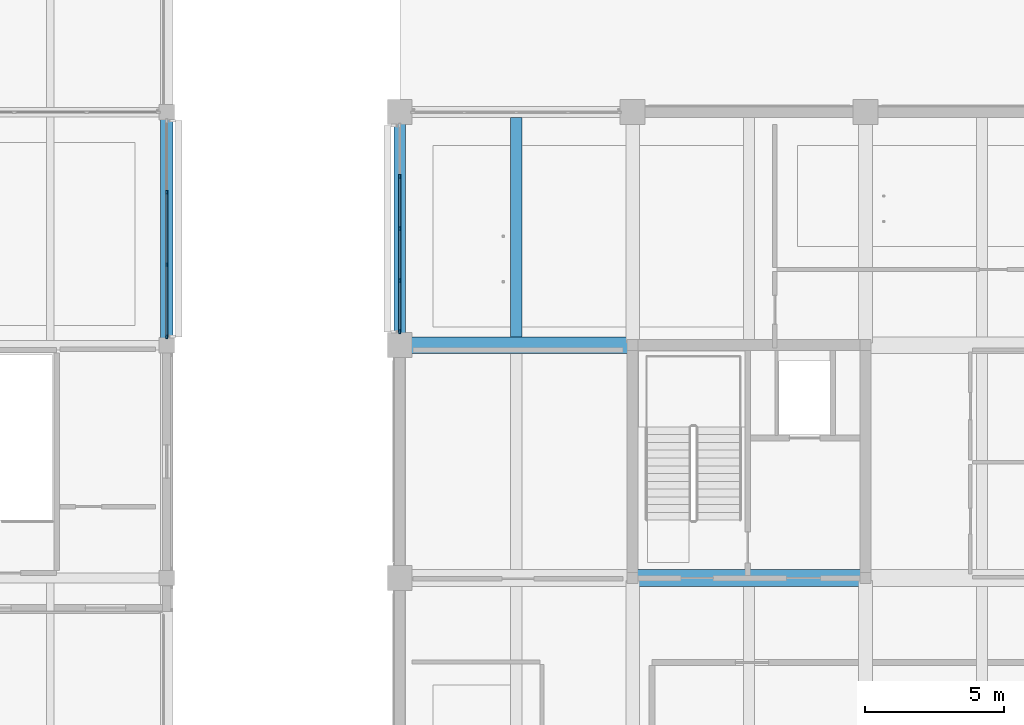
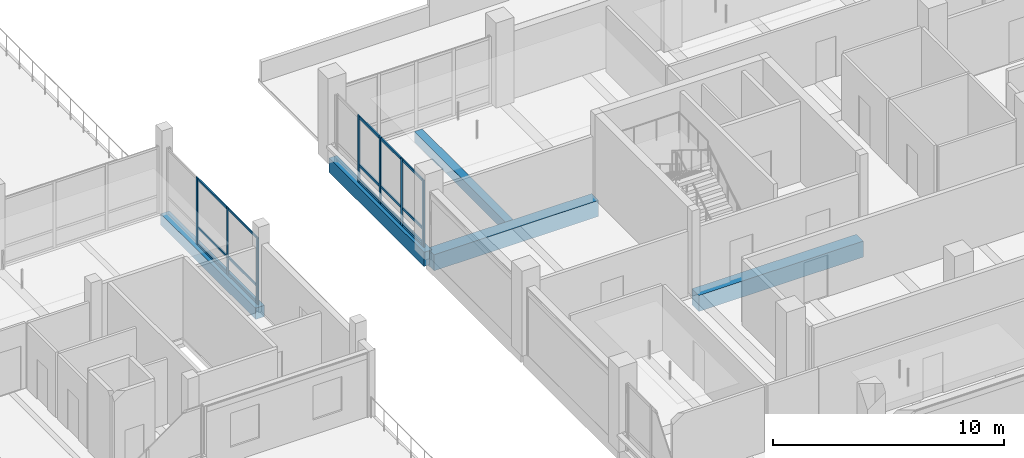
# One storey, part 7 of 59: 22 members, 5 beams, 2 elements without a shape of their own.
"""IFC4 building model written with IfcOpenShell, lengths in metres."""

import ifcopenshell
import ifcopenshell.guid

model = None  # the IFC model being written
_history = None  # IfcOwnerHistory: only IFC2X3 demands one
_inside = {}  # id of a spatial element -> (the spatial element, [elements in it])
_under = {}  # id of a project, library or spatial element -> (it, [spatial elements below it])
_declared = {}  # id of a project -> (the project, [libraries it declares])
_typed = {}  # id of a type object -> (the type object, [elements of that type])
_made_of = {}  # id of a material, layer set ... -> (it, [elements and type objects made of it])


def new_model(schema):
    """Start an empty IFC model of exactly this schema.

    Asked for "IFC4X3", IfcOpenShell would pick the latest addendum, in which some entities
    have other attributes; the version numbers below select the first issue.
    IFC2X3 requires an IfcOwnerHistory on every rooted entity: one is made here for all.
    """
    global model, _history
    if schema == "IFC4X3":
        model = ifcopenshell.file(schema_version=(4, 3, 0, 0))
    else:
        model = ifcopenshell.file(schema=schema)
    _inside.clear()
    _under.clear()
    _declared.clear()
    _typed.clear()
    _made_of.clear()
    _history = None
    if model.schema == "IFC2X3":
        org = make("IfcOrganization", Name="unknown")
        user = make(
            "IfcPersonAndOrganization",
            ThePerson=make("IfcPerson", FamilyName="unknown"),
            TheOrganization=org,
        )
        app = make(
            "IfcApplication",
            ApplicationDeveloper=org,
            Version="unknown",
            ApplicationFullName="unknown",
            ApplicationIdentifier="unknown",
        )
        _history = make(
            "IfcOwnerHistory",
            OwningUser=user,
            OwningApplication=app,
            ChangeAction="ADDED",
            CreationDate=0,
        )
    return model


def make(cls, **values):
    """One entity of the class cls with the attributes given. An attribute that is None is left unset."""
    return model.create_entity(
        cls, **{name: value for name, value in values.items() if value is not None}
    )


def rooted(cls, **values):
    """An entity with a GlobalId (a new one), such as an element, a storey or a relation."""
    return make(cls, GlobalId=ifcopenshell.guid.new(), OwnerHistory=_history, **values)


def si_unit(unit_type, name, prefix=None):
    """IfcSIUnit, for example si_unit("LENGTHUNIT", "METRE", prefix="MILLI")."""
    return make("IfcSIUnit", UnitType=unit_type, Prefix=prefix, Name=name)


def assignment(units):
    """IfcUnitAssignment: the units of a project."""
    return None if units is None else make("IfcUnitAssignment", Units=units)


def point(xyz):
    """IfcCartesianPoint."""
    return None if xyz is None else make("IfcCartesianPoint", Coordinates=xyz)


def direction(xyz):
    """IfcDirection."""
    return None if xyz is None else make("IfcDirection", DirectionRatios=xyz)


def frame(location, z_axis=None, x_axis=None):
    """IfcAxis2Placement3D, a coordinate frame: its origin and axes. An axis left out is left unset."""
    return make(
        "IfcAxis2Placement3D",
        Location=point(location),
        Axis=direction(z_axis),
        RefDirection=direction(x_axis),
    )


def frame_2d(location, x_axis=None):
    """IfcAxis2Placement2D, a coordinate frame in the plane: its origin and x axis."""
    return make(
        "IfcAxis2Placement2D", Location=point(location), RefDirection=direction(x_axis)
    )


def origin():
    """The frame at (0, 0, 0) with its axes left unset."""
    return frame((0.0, 0.0, 0.0))


def origin_2d():
    """The frame at (0, 0) in the plane with its x axis left unset."""
    return frame_2d((0.0, 0.0))


def place(relative_to, where):
    """IfcLocalPlacement: puts the frame where relative to a parent placement (None: the world)."""
    return make(
        "IfcLocalPlacement", PlacementRelTo=relative_to, RelativePlacement=where
    )


def context(
    kind, dimensions, precision=None, world=None, true_north=None, identifier=None
):
    """IfcGeometricRepresentationContext, for example the 3D "Model" context."""
    return make(
        "IfcGeometricRepresentationContext",
        ContextIdentifier=identifier,
        ContextType=kind,
        CoordinateSpaceDimension=dimensions,
        Precision=precision,
        WorldCoordinateSystem=world,
        TrueNorth=true_north,
    )


def subcontext(parent, identifier, kind, view, scale=None):
    """IfcGeometricRepresentationSubContext, for example "Body" below "Model"."""
    return make(
        "IfcGeometricRepresentationSubContext",
        ContextIdentifier=identifier,
        ContextType=kind,
        ParentContext=parent,
        TargetScale=scale,
        TargetView=view,
    )


def project(units=None, contexts=None):
    """IfcProject with its units and contexts."""
    return rooted(
        "IfcProject",
        Name="project",
        RepresentationContexts=contexts,
        UnitsInContext=assignment(units),
    )


def spatial(cls, under=None, at=None, **own):
    """A site, building, storey or space (cls), placed at a placement, below another one or the project."""
    s = rooted(cls, ObjectPlacement=at, **own)
    if under is not None:
        _under.setdefault(under.id(), (under, []))[1].append(s)
    return s


def profile(cls, at=None, kind="AREA", **sizes):
    """A parametric profile (cls). Its sizes go by their IFC names, for example OverallWidth=200.0."""
    return make(cls, ProfileType=kind, Position=at, **sizes)


def rectangle(**sizes):
    """IfcRectangleProfileDef."""
    return profile("IfcRectangleProfileDef", **sizes)


def extrude(swept, where, along, depth):
    """IfcExtrudedAreaSolid: the profile swept, set in the frame where, extruded along a direction by depth."""
    return make(
        "IfcExtrudedAreaSolid",
        SweptArea=swept,
        Position=where,
        ExtrudedDirection=direction(along),
        Depth=depth,
    )


def shape(context_of_items, identifier, shape_type, items):
    """IfcShapeRepresentation: the items that make up one representation, for example the "Body"."""
    return make(
        "IfcShapeRepresentation",
        ContextOfItems=context_of_items,
        RepresentationIdentifier=identifier,
        RepresentationType=shape_type,
        Items=items,
    )


def material(Name=None, Category=None):
    """IfcMaterial."""
    return make("IfcMaterial", Name=Name, Category=Category)


def layer(
    of_material, thickness, ventilated=None, Name=None, Category=None, Priority=None
):
    """IfcMaterialLayer: one layer of a wall or slab, of a material (None: an air gap)."""
    return make(
        "IfcMaterialLayer",
        Material=of_material,
        LayerThickness=thickness,
        IsVentilated=ventilated,
        Name=Name,
        Category=Category,
        Priority=Priority,
    )


def layer_set(layers, Name=None):
    """IfcMaterialLayerSet."""
    return make("IfcMaterialLayerSet", MaterialLayers=layers, LayerSetName=Name)


def material_profile(
    of_material, cross_section, Name=None, Category=None, Priority=None
):
    """IfcMaterialProfile: a cross section and its material."""
    return make(
        "IfcMaterialProfile",
        Name=Name,
        Material=of_material,
        Profile=cross_section,
        Priority=Priority,
        Category=Category,
    )


def profile_set(profiles, Name=None, composite=None):
    """IfcMaterialProfileSet."""
    return make(
        "IfcMaterialProfileSet",
        Name=Name,
        MaterialProfiles=profiles,
        CompositeProfile=composite,
    )


def made_of(thing, what):
    """Note that an element or type object is made of a material, layer set ...; save() writes the relation."""
    if what is not None:
        _made_of.setdefault(what.id(), (what, []))[1].append(thing)
    return thing


def type_object(cls, material=None, **own):
    """A type object (cls), such as IfcWallType, which elements share."""
    return made_of(rooted(cls, **own), material)


def element(
    cls,
    number,
    at=None,
    inside=None,
    cuts=None,
    type_object=None,
    material=None,
    context=None,
    identifier="Body",
    shape_type=None,
    held_by="IfcProductDefinitionShape",
    body=None,
    shapes=None,
    **own,
):
    """One element of the class cls, such as IfcWall. Its Tag is "e" and its number.

    at: its placement. inside: the storey or other place that contains it. cuts: it is an
    opening in that element (IfcRelVoidsElement). A single representation is given by context,
    identifier, shape_type and body (its items); several are given by shapes. held_by: the class
    of the entity that holds the representations. save() writes the other relations.
    """
    e = rooted(cls, Tag="e%d" % number, ObjectPlacement=at, **own)
    if body is not None:
        shapes = [shape(context, identifier, shape_type, body)]
    if shapes is not None:
        e.Representation = make(held_by, Representations=shapes)
    if inside is not None:
        _inside.setdefault(inside.id(), (inside, []))[1].append(e)
    if cuts is not None:
        rooted(
            "IfcRelVoidsElement", RelatingBuildingElement=cuts, RelatedOpeningElement=e
        )
    if type_object is not None:
        _typed.setdefault(type_object.id(), (type_object, []))[1].append(e)
    return made_of(e, material)


def aggregate(whole, parts):
    """IfcRelAggregates: a whole, such as a stair, and the parts it consists of."""
    return rooted("IfcRelAggregates", RelatingObject=whole, RelatedObjects=parts)


def save(model, path):
    """Write the relations noted so far, then the file.

    IfcRelAggregates (storeys below a building ...), IfcRelContainedInSpatialStructure (elements
    in a storey), IfcRelDefinesByType, IfcRelAssociatesMaterial and IfcRelDeclares: one each for
    every whole, place, type object, material and project.
    """
    for whole, parts in _under.values():
        aggregate(whole, parts)
    for where, things in _inside.values():
        rooted(
            "IfcRelContainedInSpatialStructure",
            RelatedElements=things,
            RelatingStructure=where,
        )
    for kind, things in _typed.values():
        rooted("IfcRelDefinesByType", RelatedObjects=things, RelatingType=kind)
    for what, things in _made_of.values():
        rooted("IfcRelAssociatesMaterial", RelatedObjects=things, RelatingMaterial=what)
    for by, libraries in _declared.values():
        rooted("IfcRelDeclares", RelatingContext=by, RelatedDefinitions=libraries)
    model.write(path)


model = new_model("IFC4")

# Units and contexts
model_context = context("Model", 3, precision=1e-05, world=origin(), true_north=direction((0.0, 1.0)))
body_context = subcontext(model_context, "Body", "Model", "MODEL_VIEW")
ifc_project = project(units=[si_unit("LENGTHUNIT", "METRE"), si_unit("AREAUNIT", "SQUARE_METRE"), si_unit("VOLUMEUNIT", "CUBIC_METRE"), si_unit("PLANEANGLEUNIT", "RADIAN"), si_unit("MASSUNIT", "GRAM", prefix="KILO")], contexts=[model_context])

# Site, building, storey
site_placement = place(None, origin())
site = spatial("IfcSite", under=ifc_project, at=site_placement, CompositionType="ELEMENT")
building_placement = place(site_placement, origin())
building = spatial("IfcBuilding", under=site, at=building_placement, Name="Telukmera Botanical Conservatory", CompositionType="ELEMENT")
storey_placement = place(building_placement, frame((0.0, 0.0, 15.0)))
storey = spatial("IfcBuildingStorey", under=building, at=storey_placement, Name="L03", CompositionType="ELEMENT", Elevation=15.0)

# Beams
ifc_material_1 = material(Name="Concrete C40/50", Category="concrete")
ifc_material_profile_1 = material_profile(ifc_material_1, rectangle(XDim=0.60009765625, YDim=0.85009765625, at=origin_2d()), Name="RC 600x850")
ifc_profile_set_1 = profile_set([ifc_material_profile_1], Name="Concrete C40/50")
beam_type_1 = type_object("IfcBeamType", Name="Beam_B11", PredefinedType="BEAM", material=ifc_profile_set_1)
beam_1_placement = place(storey_placement, frame((58.8798828125, 26.0, -0.425048828125), z_axis=(1.0, 0.0, 0.0), x_axis=(0.0, 1.0, 0.0)))
element("IfcBeam", 1, at=beam_1_placement, inside=storey, type_object=beam_type_1, Name="Tower Grid Beam L03", PredefinedType="BEAM", context=body_context, shape_type="SweptSolid", body=[
    extrude(rectangle(XDim=0.60009765625, YDim=0.85009765625, at=origin_2d()), origin(), (0.0, 0.0, 1.0), 8.240234375),
])
beam_2_placement = place(storey_placement, frame((50.47998046875, 34.39990234375, -0.425048828125), z_axis=(1.0, 0.0, 0.0), x_axis=(0.0, 1.0, 0.0)))
element("IfcBeam", 2, at=beam_2_placement, inside=storey, type_object=beam_type_1, Name="Tower Grid Beam L03", PredefinedType="BEAM", context=body_context, shape_type="SweptSolid", body=[
    extrude(rectangle(XDim=0.60009765625, YDim=0.85009765625, at=origin_2d()), origin(), (0.0, 0.0, 1.0), 8.239990234375),
])
ifc_material_profile_2 = material_profile(ifc_material_1, rectangle(XDim=0.449951171875, YDim=0.60009765625, at=origin_2d()), Name="RC 450x600")
ifc_profile_set_2 = profile_set([ifc_material_profile_2], Name="Concrete C40/50")
beam_type_2 = type_object("IfcBeamType", Name="Beam_B17", PredefinedType="BEAM", material=ifc_profile_set_2)
beam_3_placement = place(storey_placement, frame((42.0, 34.47998046875, -0.300048828125), z_axis=(0.0, 1.0, 0.0), x_axis=(-1.0, 0.0, 0.0)))
element("IfcBeam", 3, at=beam_3_placement, inside=storey, type_object=beam_type_2, Name="Visitor Wing Transverse Beam L03", PredefinedType="BEAM", context=body_context, shape_type="SweptSolid", body=[
    extrude(rectangle(XDim=0.449951171875, YDim=0.60009765625, at=origin_2d()), origin(), (0.0, 0.0, 1.0), 8.239990234375),
])
ifc_material_profile_3 = material_profile(ifc_material_1, rectangle(XDim=0.39990234375, YDim=0.550048828125, at=origin_2d()), Name="RC 400x550")
ifc_profile_set_3 = profile_set([ifc_material_profile_3], Name="Concrete C40/50")
beam_type_3 = type_object("IfcBeamType", Name="Beam_B19", PredefinedType="JOIST", material=ifc_profile_set_3)
beam_4_placement = place(storey_placement, frame((54.60009765625, 34.699951171875, -0.27490234375), z_axis=(0.0, 1.0, 0.0), x_axis=(-1.0, 0.0, 0.0)))
element("IfcBeam", 4, at=beam_4_placement, inside=storey, type_object=beam_type_3, Name="Tower Secondary Floor Joist L03", PredefinedType="JOIST", context=body_context, shape_type="SweptSolid", body=[
    extrude(rectangle(XDim=0.39990234375, YDim=0.550048828125, at=origin_2d()), origin(), (0.0, 0.0, 1.0), 7.900146484375),
])
ifc_material_2 = material(Name="Precast concrete C40/50", Category="concrete")
ifc_material_profile_4 = material_profile(ifc_material_2, rectangle(XDim=0.39990234375, YDim=0.75, at=origin_2d()), Name="PC 400x750")
ifc_profile_set_4 = profile_set([ifc_material_profile_4], Name="Precast concrete C40/50")
beam_type_4 = type_object("IfcBeamType", Name="Beam_SP1", PredefinedType="SPANDREL", material=ifc_profile_set_4)
beam_5_placement = place(storey_placement, frame((50.39990234375, 34.47998046875, -0.375), z_axis=(0.0, 1.0, 0.0), x_axis=(-1.0, 0.0, 0.0)))
element("IfcBeam", 5, at=beam_5_placement, inside=storey, type_object=beam_type_4, Name="Tower Transverse Beam L03", PredefinedType="SPANDREL", context=body_context, shape_type="SweptSolid", body=[
    extrude(rectangle(XDim=0.39990234375, YDim=0.75, at=origin_2d()), origin(), (0.0, 0.0, 1.0), 8.239990234375),
])

# Curtain wall, members
ifc_material_3 = material(Name="Anodised aluminium 6063-T6", Category="aluminium")
ifc_layer_1 = layer(ifc_material_3, 0.179931640625)
ifc_layer_set_1 = layer_set([ifc_layer_1], Name="Anodised aluminium 6063-T6")
curtain_wall_type_1 = type_object("IfcCurtainWallType", Name="Visitor Rooftop Lounge Terrace Curtain Wall", PredefinedType="USERDEFINED", material=ifc_layer_set_1)
curtain_wall_1_placement = place(storey_placement, origin())
curtain_wall_1 = element("IfcCurtainWall", 6, at=curtain_wall_1_placement, inside=storey, type_object=curtain_wall_type_1, Name="Unitised Curtain Wall CW11 V3:L03:E2", ObjectType="UNITISED CURTAIN WALL", PredefinedType="USERDEFINED")
ifc_material_profile_5 = material_profile(ifc_material_3, rectangle(XDim=0.06005859375, YDim=0.139892578125, at=origin_2d()), Name="ALU MULL 60x140")
ifc_profile_set_5 = profile_set([ifc_material_profile_5], Name="Anodised aluminium 6063-T6")
member_type_1 = type_object("IfcMemberType", Name="Curtain Wall Extruded Mullion 60x140", PredefinedType="MULLION", material=ifc_profile_set_5)
member_1_placement = place(storey_placement, frame((42.0, 34.70703125, 0.0), z_axis=(0.0, 0.0, 1.0), x_axis=(-1.0, 0.0, 0.0)))
member_1 = element("IfcMember", 7, at=member_1_placement, type_object=member_type_1, Name="CW11 mullion 1", PredefinedType="MULLION", context=body_context, shape_type="SweptSolid", body=[
    extrude(rectangle(XDim=0.06005859375, YDim=0.139892578125, at=origin_2d()), origin(), (0.0, 0.0, 1.0), 3.550048828125),
])
member_2_placement = place(storey_placement, frame((42.0, 37.292236328125, 0.0), z_axis=(0.0, 0.0, 1.0), x_axis=(-1.0, 0.0, 0.0)))
member_2 = element("IfcMember", 8, at=member_2_placement, type_object=member_type_1, Name="CW11 mullion 2", PredefinedType="MULLION", context=body_context, shape_type="SweptSolid", body=[
    extrude(rectangle(XDim=0.06005859375, YDim=0.139892578125, at=origin_2d()), origin(), (0.0, 0.0, 1.0), 3.550048828125),
])
member_3_placement = place(storey_placement, frame((42.0, 39.90771484375, 0.0), z_axis=(0.0, 0.0, 1.0), x_axis=(-1.0, 0.0, 0.0)))
member_3 = element("IfcMember", 9, at=member_3_placement, type_object=member_type_1, Name="CW11 mullion 3", PredefinedType="MULLION", context=body_context, shape_type="SweptSolid", body=[
    extrude(rectangle(XDim=0.06005859375, YDim=0.139892578125, at=origin_2d()), origin(), (0.0, 0.0, 1.0), 3.550048828125),
])

ifc_layer_2 = layer(ifc_material_3, 0.179931640625)
ifc_layer_set_2 = layer_set([ifc_layer_2], Name="Anodised aluminium 6063-T6")
curtain_wall_type_2 = type_object("IfcCurtainWallType", Name="Tower Herbarium Curation Corner Curtain Wall", PredefinedType="USERDEFINED", material=ifc_layer_set_2)
curtain_wall_2_placement = place(storey_placement, origin())
curtain_wall_2 = element("IfcCurtainWall", 10, at=curtain_wall_2_placement, inside=storey, type_object=curtain_wall_type_2, Name="Unitised Curtain Wall CW14 V4:L03:W4", ObjectType="UNITISED CURTAIN WALL", PredefinedType="USERDEFINED")
ifc_material_profile_6 = material_profile(ifc_material_3, rectangle(XDim=0.06494140625, YDim=0.159912109375, at=origin_2d()), Name="ALU MULL 65x160")
ifc_profile_set_6 = profile_set([ifc_material_profile_6], Name="Anodised aluminium 6063-T6")
member_type_2 = type_object("IfcMemberType", Name="Curtain Wall Extruded Mullion 65x160", PredefinedType="MULLION", material=ifc_profile_set_6)
member_4_placement = place(storey_placement, frame((50.39990234375, 34.884521484375, 0.0), z_axis=(0.0, 0.0, 1.0), x_axis=(-1.0, 0.0, 0.0)))
member_4 = element("IfcMember", 11, at=member_4_placement, type_object=member_type_2, Name="CW14 mullion 1", PredefinedType="MULLION", context=body_context, shape_type="SweptSolid", body=[
    extrude(rectangle(XDim=0.06494140625, YDim=0.159912109375, at=origin_2d()), origin(), (0.0, 0.0, 1.0), 3.550048828125),
])
member_5_placement = place(storey_placement, frame((50.39990234375, 36.72607421875, 0.0), z_axis=(0.0, 0.0, 1.0), x_axis=(-1.0, 0.0, 0.0)))
member_5 = element("IfcMember", 12, at=member_5_placement, type_object=member_type_2, Name="CW14 mullion 2", PredefinedType="MULLION", context=body_context, shape_type="SweptSolid", body=[
    extrude(rectangle(XDim=0.06494140625, YDim=0.159912109375, at=origin_2d()), origin(), (0.0, 0.0, 1.0), 3.550048828125),
])
member_6_placement = place(storey_placement, frame((50.39990234375, 38.60009765625, 0.0), z_axis=(0.0, 0.0, 1.0), x_axis=(-1.0, 0.0, 0.0)))
member_6 = element("IfcMember", 13, at=member_6_placement, type_object=member_type_2, Name="CW14 mullion 3", PredefinedType="MULLION", context=body_context, shape_type="SweptSolid", body=[
    extrude(rectangle(XDim=0.06494140625, YDim=0.159912109375, at=origin_2d()), origin(), (0.0, 0.0, 1.0), 3.550048828125),
])
member_7_placement = place(storey_placement, frame((50.39990234375, 40.47412109375, 0.0), z_axis=(0.0, 0.0, 1.0), x_axis=(-1.0, 0.0, 0.0)))
member_7 = element("IfcMember", 14, at=member_7_placement, type_object=member_type_2, Name="CW14 mullion 4", PredefinedType="MULLION", context=body_context, shape_type="SweptSolid", body=[
    extrude(rectangle(XDim=0.06494140625, YDim=0.159912109375, at=origin_2d()), origin(), (0.0, 0.0, 1.0), 3.550048828125),
])

# Member
ifc_material_profile_7 = material_profile(ifc_material_3, rectangle(XDim=0.06005859375, YDim=0.110107421875, at=origin_2d()), Name="ALU TRAN 60x110")
ifc_profile_set_7 = profile_set([ifc_material_profile_7], Name="Anodised aluminium 6063-T6")
member_type_3 = type_object("IfcMemberType", Name="Curtain Wall Extruded Transom 60x110", PredefinedType="USERDEFINED", material=ifc_profile_set_7)
member_8_placement = place(storey_placement, frame((42.0, 34.737060546875, 0.054931640625), z_axis=(0.0, 1.0, 0.0), x_axis=(-1.0, 0.0, 0.0)))
member_8 = element("IfcMember", 15, at=member_8_placement, type_object=member_type_3, Name="CW11 transom 1.1", ObjectType="TRANSOM", PredefinedType="USERDEFINED", context=body_context, shape_type="SweptSolid", body=[
    extrude(rectangle(XDim=0.06005859375, YDim=0.110107421875, at=origin_2d()), origin(), (0.0, 0.0, 1.0), 2.525390625),
])

member_9_placement = place(storey_placement, frame((42.0, 34.737060546875, 0.949951171875), z_axis=(0.0, 1.0, 0.0), x_axis=(-1.0, 0.0, 0.0)))
member_9 = element("IfcMember", 16, at=member_9_placement, type_object=member_type_3, Name="CW11 transom 1.2", ObjectType="TRANSOM", PredefinedType="USERDEFINED", context=body_context, shape_type="SweptSolid", body=[
    extrude(rectangle(XDim=0.06005859375, YDim=0.110107421875, at=origin_2d()), origin(), (0.0, 0.0, 1.0), 2.525390625),
])

member_10_placement = place(storey_placement, frame((42.0, 34.737060546875, 3.4951171875), z_axis=(0.0, 1.0, 0.0), x_axis=(-1.0, 0.0, 0.0)))
member_10 = element("IfcMember", 17, at=member_10_placement, type_object=member_type_3, Name="CW11 transom 1.3", ObjectType="TRANSOM", PredefinedType="USERDEFINED", context=body_context, shape_type="SweptSolid", body=[
    extrude(rectangle(XDim=0.06005859375, YDim=0.110107421875, at=origin_2d()), origin(), (0.0, 0.0, 1.0), 2.525390625),
])

member_11_placement = place(storey_placement, frame((42.0, 37.322265625, 0.054931640625), z_axis=(0.0, 1.0, 0.0), x_axis=(-1.0, 0.0, 0.0)))
member_11 = element("IfcMember", 18, at=member_11_placement, type_object=member_type_3, Name="CW11 transom 2.1", ObjectType="TRANSOM", PredefinedType="USERDEFINED", context=body_context, shape_type="SweptSolid", body=[
    extrude(rectangle(XDim=0.06005859375, YDim=0.110107421875, at=origin_2d()), origin(), (0.0, 0.0, 1.0), 2.555419921875),
])

member_12_placement = place(storey_placement, frame((42.0, 37.322265625, 0.949951171875), z_axis=(0.0, 1.0, 0.0), x_axis=(-1.0, 0.0, 0.0)))
member_12 = element("IfcMember", 19, at=member_12_placement, type_object=member_type_3, Name="CW11 transom 2.2", ObjectType="TRANSOM", PredefinedType="USERDEFINED", context=body_context, shape_type="SweptSolid", body=[
    extrude(rectangle(XDim=0.06005859375, YDim=0.110107421875, at=origin_2d()), origin(), (0.0, 0.0, 1.0), 2.555419921875),
])

member_13_placement = place(storey_placement, frame((42.0, 37.322265625, 3.4951171875), z_axis=(0.0, 1.0, 0.0), x_axis=(-1.0, 0.0, 0.0)))
member_13 = element("IfcMember", 20, at=member_13_placement, type_object=member_type_3, Name="CW11 transom 2.3", ObjectType="TRANSOM", PredefinedType="USERDEFINED", context=body_context, shape_type="SweptSolid", body=[
    extrude(rectangle(XDim=0.06005859375, YDim=0.110107421875, at=origin_2d()), origin(), (0.0, 0.0, 1.0), 2.555419921875),
])

aggregate(curtain_wall_1, [member_1, member_2, member_3, member_8, member_9, member_10, member_11, member_12, member_13])

ifc_material_profile_8 = material_profile(ifc_material_3, rectangle(XDim=0.06494140625, YDim=0.1298828125, at=origin_2d()), Name="ALU TRAN 65x130")
ifc_profile_set_8 = profile_set([ifc_material_profile_8], Name="Anodised aluminium 6063-T6")
member_type_4 = type_object("IfcMemberType", Name="Curtain Wall Extruded Transom 65x130", PredefinedType="USERDEFINED", material=ifc_profile_set_8)
member_14_placement = place(storey_placement, frame((50.39990234375, 34.9169921875, 0.06494140625), z_axis=(0.0, 1.0, 0.0), x_axis=(-1.0, 0.0, 0.0)))
member_14 = element("IfcMember", 21, at=member_14_placement, type_object=member_type_4, Name="CW14 transom 1.1", ObjectType="TRANSOM", PredefinedType="USERDEFINED", context=body_context, shape_type="SweptSolid", body=[
    extrude(rectangle(XDim=0.06494140625, YDim=0.1298828125, at=origin_2d()), origin(), (0.0, 0.0, 1.0), 1.776611328125),
])

member_15_placement = place(storey_placement, frame((50.39990234375, 34.9169921875, 0.949951171875), z_axis=(0.0, 1.0, 0.0), x_axis=(-1.0, 0.0, 0.0)))
member_15 = element("IfcMember", 22, at=member_15_placement, type_object=member_type_4, Name="CW14 transom 1.2", ObjectType="TRANSOM", PredefinedType="USERDEFINED", context=body_context, shape_type="SweptSolid", body=[
    extrude(rectangle(XDim=0.06494140625, YDim=0.1298828125, at=origin_2d()), origin(), (0.0, 0.0, 1.0), 1.776611328125),
])

member_16_placement = place(storey_placement, frame((50.39990234375, 34.9169921875, 3.485107421875), z_axis=(0.0, 1.0, 0.0), x_axis=(-1.0, 0.0, 0.0)))
member_16 = element("IfcMember", 23, at=member_16_placement, type_object=member_type_4, Name="CW14 transom 1.3", ObjectType="TRANSOM", PredefinedType="USERDEFINED", context=body_context, shape_type="SweptSolid", body=[
    extrude(rectangle(XDim=0.06494140625, YDim=0.1298828125, at=origin_2d()), origin(), (0.0, 0.0, 1.0), 1.776611328125),
])

member_17_placement = place(storey_placement, frame((50.39990234375, 36.758544921875, 0.06494140625), z_axis=(0.0, 1.0, 0.0), x_axis=(-1.0, 0.0, 0.0)))
member_17 = element("IfcMember", 24, at=member_17_placement, type_object=member_type_4, Name="CW14 transom 2.1", ObjectType="TRANSOM", PredefinedType="USERDEFINED", context=body_context, shape_type="SweptSolid", body=[
    extrude(rectangle(XDim=0.06494140625, YDim=0.1298828125, at=origin_2d()), origin(), (0.0, 0.0, 1.0), 1.808837890625),
])

member_18_placement = place(storey_placement, frame((50.39990234375, 36.758544921875, 0.949951171875), z_axis=(0.0, 1.0, 0.0), x_axis=(-1.0, 0.0, 0.0)))
member_18 = element("IfcMember", 25, at=member_18_placement, type_object=member_type_4, Name="CW14 transom 2.2", ObjectType="TRANSOM", PredefinedType="USERDEFINED", context=body_context, shape_type="SweptSolid", body=[
    extrude(rectangle(XDim=0.06494140625, YDim=0.1298828125, at=origin_2d()), origin(), (0.0, 0.0, 1.0), 1.808837890625),
])

member_19_placement = place(storey_placement, frame((50.39990234375, 36.758544921875, 3.485107421875), z_axis=(0.0, 1.0, 0.0), x_axis=(-1.0, 0.0, 0.0)))
member_19 = element("IfcMember", 26, at=member_19_placement, type_object=member_type_4, Name="CW14 transom 2.3", ObjectType="TRANSOM", PredefinedType="USERDEFINED", context=body_context, shape_type="SweptSolid", body=[
    extrude(rectangle(XDim=0.06494140625, YDim=0.1298828125, at=origin_2d()), origin(), (0.0, 0.0, 1.0), 1.808837890625),
])

member_20_placement = place(storey_placement, frame((50.39990234375, 38.632568359375, 0.06494140625), z_axis=(0.0, 1.0, 0.0), x_axis=(-1.0, 0.0, 0.0)))
member_20 = element("IfcMember", 27, at=member_20_placement, type_object=member_type_4, Name="CW14 transom 3.1", ObjectType="TRANSOM", PredefinedType="USERDEFINED", context=body_context, shape_type="SweptSolid", body=[
    extrude(rectangle(XDim=0.06494140625, YDim=0.1298828125, at=origin_2d()), origin(), (0.0, 0.0, 1.0), 1.808837890625),
])

member_21_placement = place(storey_placement, frame((50.39990234375, 38.632568359375, 0.949951171875), z_axis=(0.0, 1.0, 0.0), x_axis=(-1.0, 0.0, 0.0)))
member_21 = element("IfcMember", 28, at=member_21_placement, type_object=member_type_4, Name="CW14 transom 3.2", ObjectType="TRANSOM", PredefinedType="USERDEFINED", context=body_context, shape_type="SweptSolid", body=[
    extrude(rectangle(XDim=0.06494140625, YDim=0.1298828125, at=origin_2d()), origin(), (0.0, 0.0, 1.0), 1.808837890625),
])

member_22_placement = place(storey_placement, frame((50.39990234375, 38.632568359375, 3.485107421875), z_axis=(0.0, 1.0, 0.0), x_axis=(-1.0, 0.0, 0.0)))
member_22 = element("IfcMember", 29, at=member_22_placement, type_object=member_type_4, Name="CW14 transom 3.3", ObjectType="TRANSOM", PredefinedType="USERDEFINED", context=body_context, shape_type="SweptSolid", body=[
    extrude(rectangle(XDim=0.06494140625, YDim=0.1298828125, at=origin_2d()), origin(), (0.0, 0.0, 1.0), 1.808837890625),
])

aggregate(curtain_wall_2, [member_4, member_5, member_6, member_7, member_14, member_15, member_16, member_17, member_18, member_19, member_20, member_21, member_22])

save(model, "model.ifc")
